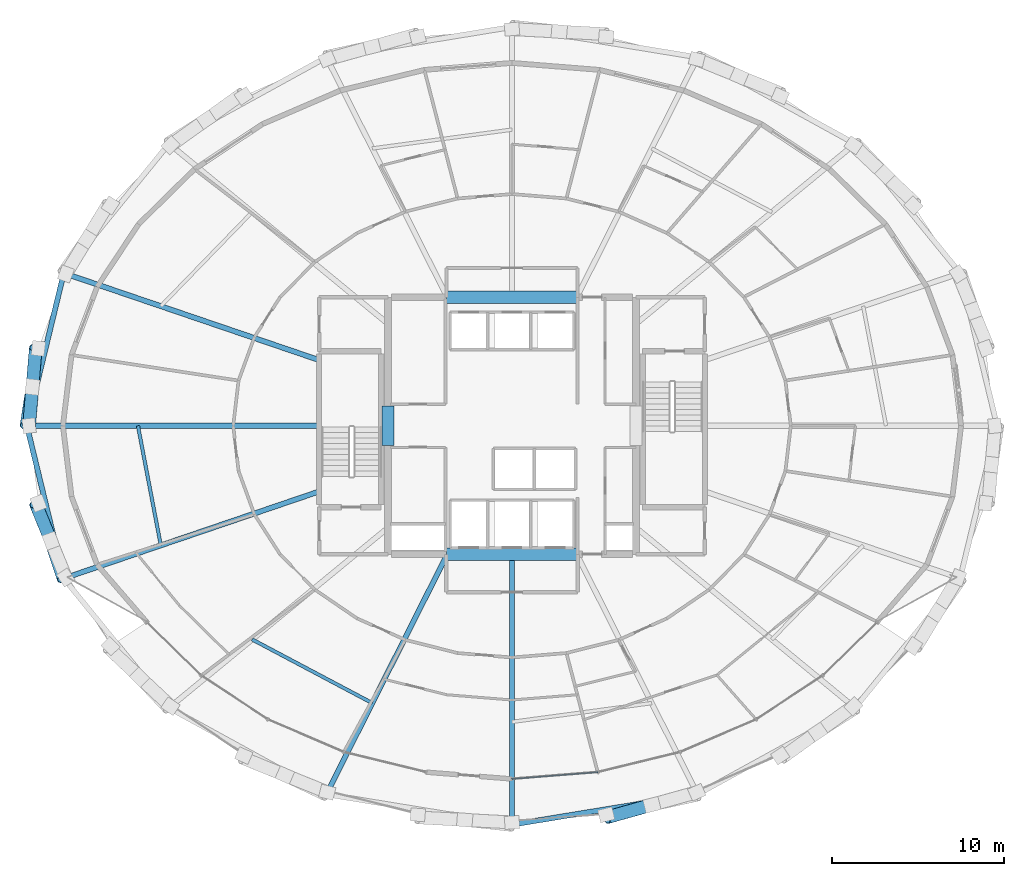
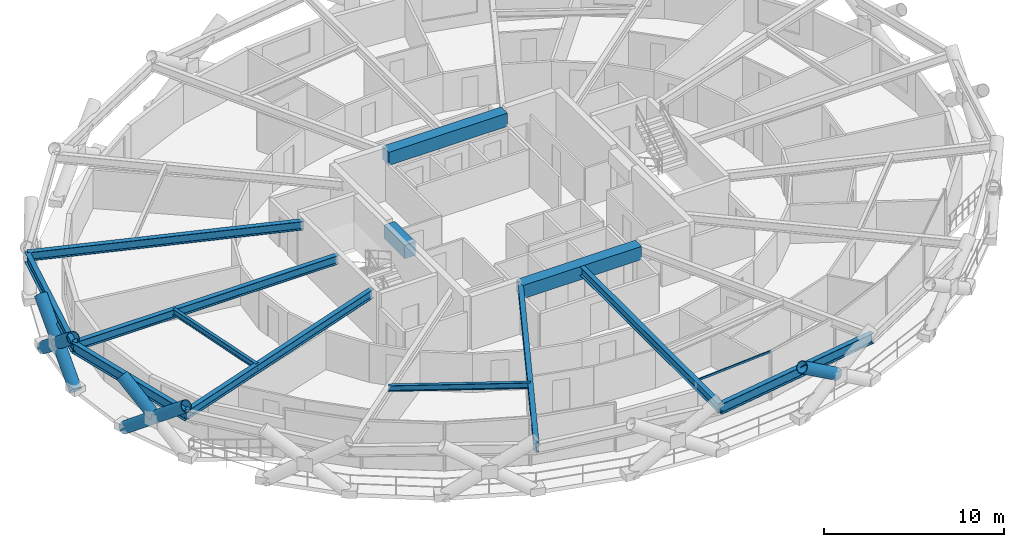
# One storey, part 5 of 18: 13 beams, 7 members, 1 element without a shape of its own.
"""IFC4 building model written with IfcOpenShell, lengths in metres."""

from ifc_helpers import new_model, si_unit, direction, frame, origin, origin_2d, place, context, subcontext, project, spatial, rectangle, hollow_rectangle, hollow_circle, i_section, extrude, material, layer, layer_set, material_profile, profile_set, type_object, element, aggregate, save


model = new_model("IFC4")

# Units and contexts
model_context = context("Model", 3, precision=1e-05, world=origin(), true_north=direction((0.0, 1.0)))
body_context = subcontext(model_context, "Body", "Model", "MODEL_VIEW")
ifc_project = project(units=[si_unit("LENGTHUNIT", "METRE"), si_unit("AREAUNIT", "SQUARE_METRE"), si_unit("VOLUMEUNIT", "CUBIC_METRE"), si_unit("PLANEANGLEUNIT", "RADIAN"), si_unit("MASSUNIT", "GRAM", prefix="KILO")], contexts=[model_context])

# Site, building, storey
site_placement = place(None, origin())
site = spatial("IfcSite", under=ifc_project, at=site_placement, CompositionType="ELEMENT")
building_placement = place(site_placement, origin())
building = spatial("IfcBuilding", under=site, at=building_placement, Name="Veldorina Hangang Commons", CompositionType="ELEMENT")
storey_placement = place(building_placement, frame((0.0, 0.0, 41.199951171875)))
storey = spatial("IfcBuildingStorey", under=building, at=storey_placement, Name="L09", CompositionType="ELEMENT", Elevation=41.199951171875)

# Beams
ifc_material_1 = material(Name="Concrete C70/85", Category="concrete")
ifc_material_profile_1 = material_profile(ifc_material_1, rectangle(XDim=0.699951171875, YDim=0.89990234375, at=origin_2d()), Name="RC-CB-700x900")
ifc_profile_set_1 = profile_set([ifc_material_profile_1], Name="Concrete C70/85")
beam_type_1 = type_object("IfcBeamType", Name="BM-CB900", PredefinedType="LINTEL", material=ifc_profile_set_1)
beam_1_placement = place(storey_placement, frame((24.800048828125, 22.85009765625, 2.89013671875), z_axis=(0.0, 1.0, 0.0), x_axis=(-1.0, 0.0, 0.0)))
element("IfcBeam", 1, at=beam_1_placement, inside=storey, type_object=beam_type_1, Name="L09 W core coupling lintel beam", PredefinedType="LINTEL", context=body_context, shape_type="SweptSolid", body=[
    extrude(rectangle(XDim=0.699951171875, YDim=0.89990234375, at=origin_2d()), origin(), (0.0, 0.0, 1.0), 2.2998046875),
])
for number, where, z_axis, x_axis, name in (
    (2, (28.199951171875, 16.550048828125, 2.89013671875), (1.0, 0.0, 0.0), (0.0, 1.0, 0.0), "L09 south core coupling beam"),
    (3, (28.199951171875, 31.449951171875, 2.89013671875), (1.0, 0.0, 0.0), (0.0, 1.0, 0.0), "L09 north core coupling beam"),
):
    element("IfcBeam", number, at=place(storey_placement, frame(where, z_axis=z_axis, x_axis=x_axis)), inside=storey, type_object=beam_type_1, Name=name, PredefinedType="LINTEL", context=body_context, shape_type="SweptSolid", body=[
        extrude(rectangle(XDim=0.699951171875, YDim=0.89990234375, at=origin_2d()), origin(), (0.0, 0.0, 1.0), 7.60009765625),
    ])
ifc_material_2 = material(Name="Steel SM460-TMC", Category="steel")
ifc_material_profile_2 = material_profile(ifc_material_2, i_section(OverallWidth=0.300048828125, OverallDepth=0.587890625, WebThickness=0.011962890625, FlangeThickness=0.02001953125, FilletRadius=0.01806640625, at=origin_2d()), Name="H-588x300x12x20")
ifc_profile_set_2 = profile_set([ifc_material_profile_2], Name="Steel SM460-TMC")
beam_type_2 = type_object("IfcBeamType", Name="BM-FG588", PredefinedType="BEAM", material=ifc_profile_set_2)
beam_2_placement = place(storey_placement, frame((20.820068359375, 27.8076171875, 3.046142578125), z_axis=(-0.946607237404, 0.322389109764, 0.0), x_axis=(-0.322389109764, -0.946607237404, 0.0)))
element("IfcBeam", 4, at=beam_2_placement, inside=storey, type_object=beam_type_2, Name="L09 radial floor girder 08", PredefinedType="BEAM", context=body_context, shape_type="SweptSolid", body=[
    extrude(i_section(OverallWidth=0.300048828125, OverallDepth=0.587890625, WebThickness=0.011962890625, FlangeThickness=0.02001953125, FilletRadius=0.01806640625, at=origin_2d()), origin(), (0.0, 0.0, 1.0), 15.638671875),
])
beam_3_placement = place(storey_placement, frame((20.820068359375, 24.0, 3.046142578125), z_axis=(-1.0, 0.0, 0.0), x_axis=(0.0, -1.0, 0.0)))
element("IfcBeam", 5, at=beam_3_placement, inside=storey, type_object=beam_type_2, Name="L09 radial floor girder 09", PredefinedType="BEAM", context=body_context, shape_type="SweptSolid", body=[
    extrude(i_section(OverallWidth=0.300048828125, OverallDepth=0.587890625, WebThickness=0.011962890625, FlangeThickness=0.02001953125, FilletRadius=0.01806640625, at=origin_2d()), origin(), (0.0, 0.0, 1.0), 16.944580078125),
])
beam_4_placement = place(storey_placement, frame((20.820068359375, 20.1923828125, 3.046142578125), z_axis=(-0.946607237404, -0.322389109764, 0.0), x_axis=(0.322389109764, -0.946607237404, 0.0)))
element("IfcBeam", 6, at=beam_4_placement, inside=storey, type_object=beam_type_2, Name="L09 radial floor girder 10", PredefinedType="BEAM", context=body_context, shape_type="SweptSolid", body=[
    extrude(i_section(OverallWidth=0.300048828125, OverallDepth=0.587890625, WebThickness=0.011962890625, FlangeThickness=0.02001953125, FilletRadius=0.01806640625, at=origin_2d()), origin(), (0.0, 0.0, 1.0), 15.638671875),
])
beam_5_placement = place(storey_placement, frame((28.246826171875, 16.550048828125, 3.046142578125), z_axis=(-0.449900541545, -0.89307866547, 0.0), x_axis=(0.89307866547, -0.449900541545, 0.0)))
element("IfcBeam", 7, at=beam_5_placement, inside=storey, type_object=beam_type_2, Name="L09 radial floor girder 12", PredefinedType="BEAM", context=body_context, shape_type="SweptSolid", body=[
    extrude(i_section(OverallWidth=0.300048828125, OverallDepth=0.587890625, WebThickness=0.011962890625, FlangeThickness=0.02001953125, FilletRadius=0.01806640625, at=origin_2d()), origin(), (0.0, 0.0, 1.0), 15.580078125),
])
beam_6_placement = place(storey_placement, frame((32.0, 16.550048828125, 3.046142578125), z_axis=(0.0, -1.0, 0.0), x_axis=(1.0, 0.0, 0.0)))
element("IfcBeam", 8, at=beam_6_placement, inside=storey, type_object=beam_type_2, Name="L09 radial floor girder 13", PredefinedType="BEAM", context=body_context, shape_type="SweptSolid", body=[
    extrude(i_section(OverallWidth=0.300048828125, OverallDepth=0.587890625, WebThickness=0.011962890625, FlangeThickness=0.02001953125, FilletRadius=0.01806640625, at=origin_2d()), origin(), (0.0, 0.0, 1.0), 15.674560546875),
])
ifc_material_3 = material(Name="Steel SM355-TMC", Category="steel")
ifc_material_profile_3 = material_profile(ifc_material_3, i_section(OverallWidth=0.199951171875, OverallDepth=0.39990234375, WebThickness=0.008056640625, FlangeThickness=0.012939453125, FilletRadius=0.012939453125, at=origin_2d()), Name="H-400x200x8x13")
ifc_profile_set_3 = profile_set([ifc_material_profile_3], Name="Steel SM355-TMC")
beam_type_3 = type_object("IfcBeamType", Name="BM-JST400", PredefinedType="JOIST", material=ifc_profile_set_3)
beam_7_placement = place(storey_placement, frame((10.314453125, 24.0, 3.14013671875), z_axis=(0.18802897362, -0.98216348185, 0.0), x_axis=(0.98216348185, 0.18802897362, 0.0)))
element("IfcBeam", 9, at=beam_7_placement, inside=storey, type_object=beam_type_3, Name="L09 secondary floor joist 09", PredefinedType="JOIST", context=body_context, shape_type="SweptSolid", body=[
    extrude(i_section(OverallWidth=0.199951171875, OverallDepth=0.39990234375, WebThickness=0.008056640625, FlangeThickness=0.012939453125, FilletRadius=0.012939453125, at=origin_2d()), origin(), (0.0, 0.0, 1.0), 7.0595703125),
])
beam_8_placement = place(storey_placement, frame((16.93408203125, 11.612548828125, 3.14013671875), z_axis=(0.883727645271, -0.468001548056, 0.0), x_axis=(0.468001548056, 0.883727645271, 0.0)))
element("IfcBeam", 10, at=beam_8_placement, inside=storey, type_object=beam_type_3, Name="L09 secondary floor joist 11", PredefinedType="JOIST", context=body_context, shape_type="SweptSolid", body=[
    extrude(i_section(OverallWidth=0.199951171875, OverallDepth=0.39990234375, WebThickness=0.008056640625, FlangeThickness=0.012939453125, FilletRadius=0.012939453125, at=origin_2d()), origin(), (0.0, 0.0, 1.0), 7.88330078125),
])
ifc_material_profile_4 = material_profile(ifc_material_2, i_section(OverallWidth=0.300048828125, OverallDepth=0.699951171875, WebThickness=0.012939453125, FlangeThickness=0.02392578125, FilletRadius=0.02197265625, at=origin_2d()), Name="H-700x300x13x24")
ifc_profile_set_4 = profile_set([ifc_material_profile_4], Name="Steel SM460-TMC")
beam_type_4 = type_object("IfcBeamType", Name="BM-RB700", PredefinedType="BEAM", material=ifc_profile_set_4)
for number, where, z_axis, x_axis, name in (
    (11, (6.016357421875, 32.849365234375, 2.989990234375), (-0.235140284528, -0.971961442956, 0.0), (0.971961442956, -0.235140284528, 0.0), "L09 perimeter hoop ring beam 14"),
    (12, (3.87548828125, 24.0, 2.989990234375), (0.235140284528, -0.971961442956, 0.0), (0.971961442956, 0.235140284528, 0.0), "L09 perimeter hoop ring beam 16"),
):
    element("IfcBeam", number, at=place(storey_placement, frame(where, z_axis=z_axis, x_axis=x_axis)), inside=storey, type_object=beam_type_4, Name=name, PredefinedType="BEAM", context=body_context, shape_type="SweptSolid", body=[
        extrude(i_section(OverallWidth=0.300048828125, OverallDepth=0.699951171875, WebThickness=0.012939453125, FlangeThickness=0.02392578125, FilletRadius=0.02197265625, at=origin_2d()), origin(), (0.0, 0.0, 1.0), 9.104736328125),
    ])
beam_9_placement = place(storey_placement, frame((32.0, 0.87548828125, 2.989990234375), z_axis=(0.986887942247, 0.161406906442, 0.0), x_axis=(-0.161406906442, 0.986887942247, 0.0)))
element("IfcBeam", 13, at=beam_9_placement, inside=storey, type_object=beam_type_4, Name="L09 perimeter hoop ring beam 24", PredefinedType="BEAM", context=body_context, shape_type="SweptSolid", body=[
    extrude(i_section(OverallWidth=0.300048828125, OverallDepth=0.699951171875, WebThickness=0.012939453125, FlangeThickness=0.02392578125, FilletRadius=0.02197265625, at=origin_2d()), origin(), (0.0, 0.0, 1.0), 10.90576171875),
])

# Curtain wall, member
ifc_material_4 = material(Name="Glass Low-E Triple IGU", Category="glass")
ifc_layer = layer(ifc_material_4, 0.179931640625)
ifc_layer_set = layer_set([ifc_layer], Name="Glass Low-E Triple IGU")
curtain_wall_type = type_object("IfcCurtainWallType", Name="CW-SYS-Z1", PredefinedType="NOTDEFINED", material=ifc_layer_set)
curtain_wall_placement = place(storey_placement, origin())
curtain_wall = element("IfcCurtainWall", 14, at=curtain_wall_placement, inside=storey, type_object=curtain_wall_type, Name="L09 unitised curtain wall CW-L09-R2", PredefinedType="NOTDEFINED")
ifc_material_5 = material(Name="Aluminium Anodized AA6063-T6", Category="aluminium")
ifc_material_profile_5 = material_profile(ifc_material_5, hollow_rectangle(XDim=0.06005859375, YDim=0.139892578125, WallThickness=0.00341796875, at=origin_2d()), Name="ALU-RHS-140x60x3.5")
ifc_profile_set_5 = profile_set([ifc_material_profile_5], Name="Aluminium Anodized AA6063-T6")
member_type_1 = type_object("IfcMemberType", Name="CW-TRN-140", PredefinedType="USERDEFINED", material=ifc_profile_set_5)
member_1_placement = place(storey_placement, frame((32.0, 3.524658203125, 3.260009765625), z_axis=(0.996883267979, 0.078890747395, 0.0), x_axis=(-0.078890747395, 0.996883267979, 0.0)))
member_1 = element("IfcMember", 15, at=member_1_placement, type_object=member_type_1, Name="CW-L09-R2 facet 1 transom 1", ObjectType="TRANSOM", PredefinedType="USERDEFINED", context=body_context, shape_type="SweptSolid", body=[
    extrude(hollow_rectangle(XDim=0.06005859375, YDim=0.139892578125, WallThickness=0.00341796875, at=origin_2d()), origin(), (0.0, 0.0, 1.0), 4.985595703125),
])
aggregate(curtain_wall, [member_1])

# Members
ifc_material_profile_6 = material_profile(ifc_material_2, hollow_circle(Radius=0.375, WallThickness=0.035888671875, at=origin_2d()), Name="CHS-750x36")
ifc_profile_set_6 = profile_set([ifc_material_profile_6], Name="Steel SM460-TMC")
member_type_2 = type_object("IfcMemberType", Name="DG-CHS750", PredefinedType="BRACE", material=ifc_profile_set_6)
member_2_placement = place(storey_placement, frame((4.54248046875, 28.486083984375, 0.0), z_axis=(-0.119675709283, -0.774310266926, 0.621386622917), x_axis=(0.988265757822, -0.152744204202, 0.0)))
element("IfcMember", 16, at=member_2_placement, inside=storey, type_object=member_type_2, Name="L09 continuous perimeter diagrid brace 15", PredefinedType="BRACE", context=body_context, shape_type="SweptSolid", body=[
    extrude(hollow_circle(Radius=0.375, WallThickness=0.035888671875, at=origin_2d()), origin(), (0.0, 0.0, 1.0), 5.793701171875),
])
member_3_placement = place(storey_placement, frame((4.004638671875, 24.0, 0.0), z_axis=(0.066696946588, 0.780218849807, 0.621940562853), x_axis=(-0.996366068755, 0.085174274482, 0.0)))
element("IfcMember", 17, at=member_3_placement, inside=storey, type_object=member_type_2, Name="L09 split perimeter diagrid lower brace 16", PredefinedType="BRACE", context=body_context, shape_type="SweptSolid", body=[
    extrude(hollow_circle(Radius=0.375, WallThickness=0.035888671875, at=origin_2d()), origin(), (0.0, 0.0, 1.0), 2.884521484375),
])
member_4_placement = place(storey_placement, frame((4.197021484375, 26.25048828125, 1.7939453125), z_axis=(0.066493692245, 0.780271114311, 0.62189675756), x_axis=(-0.996388544886, 0.084910939345, 0.0)))
element("IfcMember", 18, at=member_4_placement, inside=storey, type_object=member_type_2, Name="L09 split perimeter diagrid upper brace 16", PredefinedType="BRACE", context=body_context, shape_type="SweptSolid", body=[
    extrude(hollow_circle(Radius=0.375, WallThickness=0.035888671875, at=origin_2d()), origin(), (0.0, 0.0, 1.0), 2.904296875),
])
member_5_placement = place(storey_placement, frame((4.54248046875, 19.513916015625, 0.0), z_axis=(0.247938072328, -0.747947910006, 0.615711487799), x_axis=(0.949206591829, 0.314653533316, 0.0)))
element("IfcMember", 19, at=member_5_placement, inside=storey, type_object=member_type_2, Name="L09 continuous perimeter diagrid brace 17", PredefinedType="BRACE", context=body_context, shape_type="SweptSolid", body=[
    extrude(hollow_circle(Radius=0.375, WallThickness=0.035888671875, at=origin_2d()), origin(), (0.0, 0.0, 1.0), 5.84716796875),
])
member_6_placement = place(storey_placement, frame((5.264892578125, 17.33447265625, 1.794189453125), z_axis=(-0.297522509252, 0.730893978911, 0.614226625994), x_axis=(-0.926202622203, -0.377026129897, 0.0)))
element("IfcMember", 20, at=member_6_placement, inside=storey, type_object=member_type_2, Name="L09 split perimeter diagrid upper brace 18", PredefinedType="BRACE", context=body_context, shape_type="SweptSolid", body=[
    extrude(hollow_circle(Radius=0.375, WallThickness=0.035888671875, at=origin_2d()), origin(), (0.0, 0.0, 1.0), 2.940185546875),
])
member_7_placement = place(storey_placement, frame((40.10986328125, 2.02734375, 1.795166015625), z_axis=(-0.802229742165, -0.224741037533, 0.553099364341), x_axis=(0.269759826929, -0.962927637871, 0.0)))
element("IfcMember", 21, at=member_7_placement, inside=storey, type_object=member_type_2, Name="L09 split perimeter diagrid upper brace 26", PredefinedType="BRACE", context=body_context, shape_type="SweptSolid", body=[
    extrude(hollow_circle(Radius=0.375, WallThickness=0.035888671875, at=origin_2d()), origin(), (0.0, 0.0, 1.0), 3.26318359375),
])

save(model, "model.ifc")
